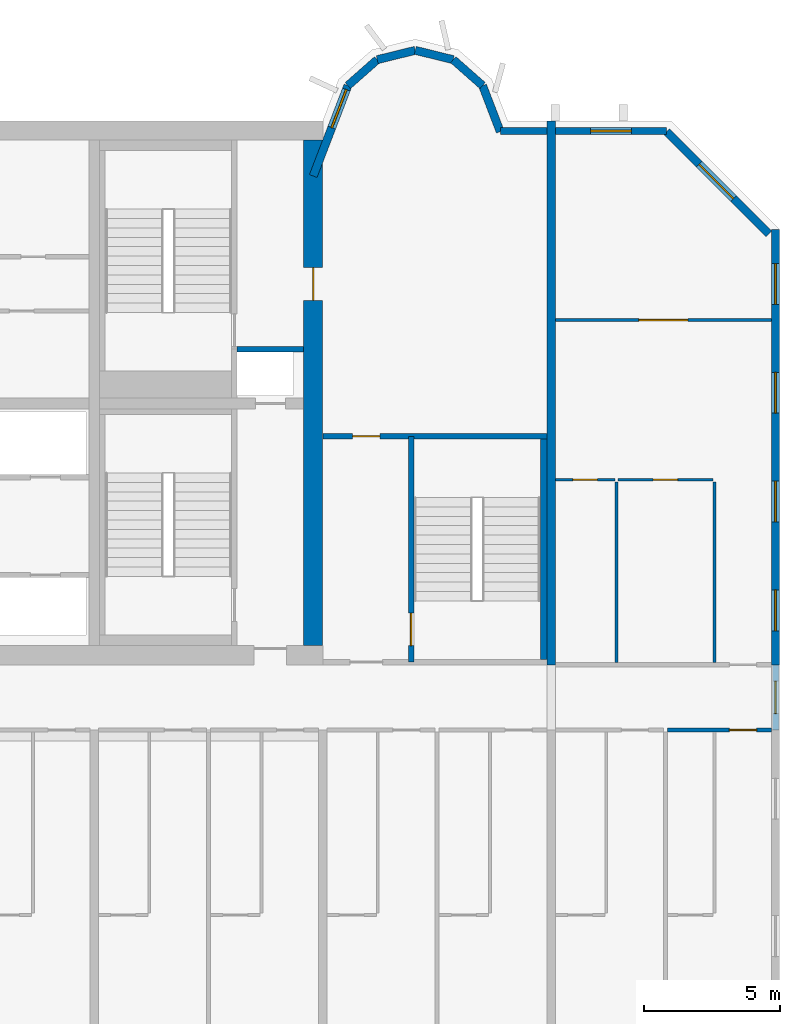
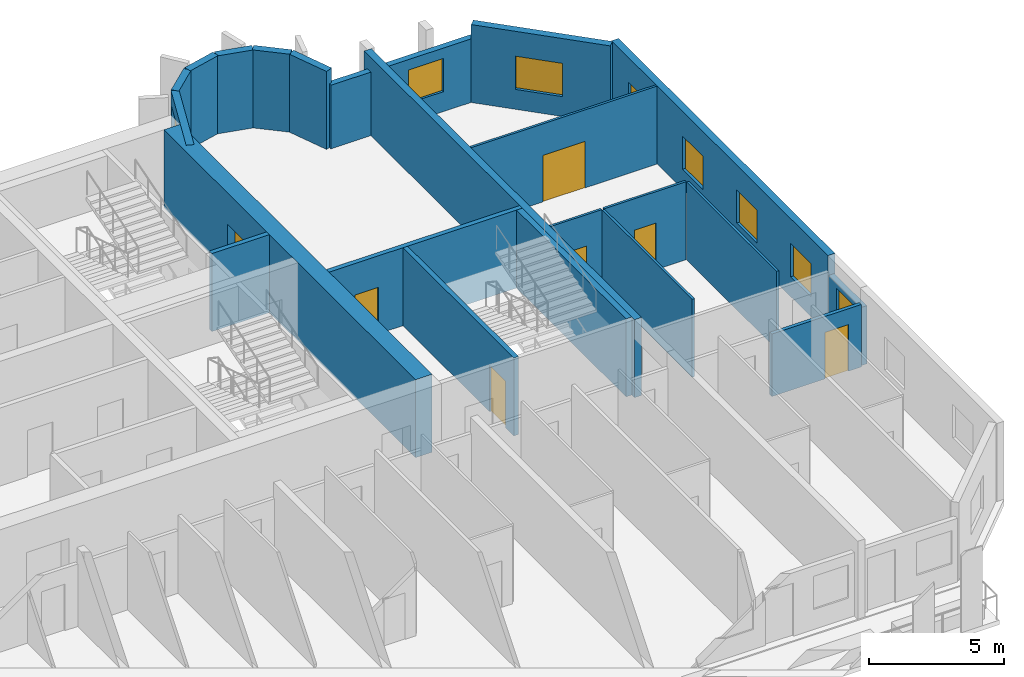
# One storey, part 9 of 13: 23 walls, 8 windows, 7 doors, 15 openings.
"""IFC4 building model written with IfcOpenShell, lengths in metres."""

from ifc_helpers import new_model, si_unit, direction, frame, frame_2d, origin, place, context, subcontext, project, spatial, rectangle, extrude, source, transform, mapped, material, layer, layer_set, type_object, element, fill, save


model = new_model("IFC4")

# Units and contexts
model_context = context("Model", 3, precision=1e-05, world=origin(), true_north=direction((0.0, 1.0)))
body_context = subcontext(model_context, "Body", "Model", "MODEL_VIEW")
ifc_project = project(units=[si_unit("LENGTHUNIT", "METRE"), si_unit("AREAUNIT", "SQUARE_METRE"), si_unit("VOLUMEUNIT", "CUBIC_METRE"), si_unit("PLANEANGLEUNIT", "RADIAN"), si_unit("MASSUNIT", "GRAM", prefix="KILO")], contexts=[model_context])

# Site, building, storey
site_placement = place(None, origin())
site = spatial("IfcSite", under=ifc_project, at=site_placement, CompositionType="ELEMENT")
building_placement = place(site_placement, origin())
building = spatial("IfcBuilding", under=site, at=building_placement, Name="Vanashikhar Sky Hotel", CompositionType="ELEMENT")
storey_placement = place(building_placement, frame((0.0, 0.0, 193.39990234375)))
storey = spatial("IfcBuildingStorey", under=building, at=storey_placement, Name="L47", CompositionType="ELEMENT", Elevation=193.39990234375)

# Wall, opening, door
ifc_material_1 = material(Name="Concrete M60", Category="concrete")
ifc_layer_1 = layer(ifc_material_1, 0.699951171875)
ifc_layer_set_1 = layer_set([ifc_layer_1], Name="RC core shell wall 700 Concrete M60")
wall_type_1 = type_object("IfcWallType", Name="RC core shell wall 700 Concrete M60", PredefinedType="SHEAR", material=ifc_layer_set_1)
shared_shape_1 = source(origin(), body_context, "Body", "SweptSolid", [
    extrude(rectangle(XDim=18.60009765625, YDim=0.699951171875, at=frame_2d((9.300048828125, 0.0))), origin(), (0.0, 0.0, 1.0), 3.52001953125),
])
wall_1_placement = place(storey_placement, frame((75.25, 22.699951171875, 0.0), z_axis=(0.0, 0.0, 1.0), x_axis=(0.0, 1.0, 0.0)))
wall_1 = element("IfcWall", 1, at=wall_1_placement, inside=storey, type_object=wall_type_1, Name="KW-L47-KE", PredefinedType="SHEAR", context=body_context, shape_type="MappedRepresentation", body=[
    mapped(shared_shape_1, transform((0.0, 0.0, 0.0), scale=1.0)),
])
shared_shape_2 = source(origin(), body_context, "Body", "SweptSolid", [
    extrude(rectangle(XDim=1.199951171875, YDim=2.10009765625, at=frame_2d((0.60009765625, 1.050048828125))), frame((0.0, 0.35986328125, 0.0), z_axis=(0.0, -1.0, 0.0), x_axis=(1.0, 0.0, 0.0)), (0.0, 0.0, 1.0), 0.719970703125),
])
opening_1_placement = place(wall_1_placement, frame((12.699951171875, 0.0, 0.0)))
opening_1 = element("IfcOpeningElement", 2, at=opening_1_placement, cuts=wall_1, Name="Opening DC-4-D", PredefinedType="OPENING", context=body_context, shape_type="MappedRepresentation", body=[
    mapped(shared_shape_2, transform((0.0, 0.0, 0.0), scale=1.0)),
])
ifc_material_2 = material(Name="Steel", Category="steel")
door_type_1 = type_object("IfcDoorType", Name="Service door 1200 FD120", OperationType="NOTDEFINED", PredefinedType="DOOR", material=ifc_material_2)
shared_shape_3 = source(origin(), body_context, "Body", "SweptSolid", [
    extrude(rectangle(XDim=1.199951171875, YDim=2.10009765625, at=frame_2d((0.60009765625, 1.050048828125))), frame((0.0, 0.02490234375, 0.0), z_axis=(0.0, -1.0, 0.0), x_axis=(1.0, 0.0, 0.0)), (0.0, 0.0, 1.0), 0.050048828125),
])
door_1_placement = place(opening_1_placement, origin())
door_1 = element("IfcDoor", 3, at=door_1_placement, inside=storey, type_object=door_type_1, Name="Service door 1200 FD120", OperationType="SINGLE_SWING_RIGHT", OverallHeight=2.10009765625, OverallWidth=1.199951171875, PredefinedType="DOOR", context=body_context, shape_type="MappedRepresentation", body=[
    mapped(shared_shape_3, transform((0.0, 0.0, 0.0), scale=1.0)),
])
fill(opening_1, door_1)

# Wall, openings, windows
ifc_layer_2 = layer(ifc_material_1, 0.300048828125)
ifc_layer_set_2 = layer_set([ifc_layer_2], Name="RC shear wall 300 Concrete M60")
wall_type_2 = type_object("IfcWallType", Name="RC shear wall 300 Concrete M60", PredefinedType="SHEAR", material=ifc_layer_set_2)
shared_shape_4 = source(origin(), body_context, "Body", "SweptSolid", [
    extrude(rectangle(XDim=16.0, YDim=0.300048828125, at=frame_2d((8.0, 0.0))), origin(), (0.0, 0.0, 1.0), 3.52001953125),
])
wall_2_placement = place(storey_placement, frame((92.25, 22.0, 0.0), z_axis=(0.0, 0.0, 1.0), x_axis=(0.0, 1.0, 0.0)))
wall_2 = element("IfcWall", 4, at=wall_2_placement, inside=storey, type_object=wall_type_2, Name="CW-L47-XW12-2", PredefinedType="SHEAR", context=body_context, shape_type="MappedRepresentation", body=[
    mapped(shared_shape_4, transform((0.0, 0.0, 0.0), scale=1.0)),
])
shared_shape_5 = source(origin(), body_context, "Body", "SweptSolid", [
    extrude(rectangle(XDim=1.5, YDim=1.5, at=frame_2d((0.75, 0.75))), frame((0.0, 0.16015625, 0.0), z_axis=(0.0, -1.0, 0.0), x_axis=(1.0, 0.0, 0.0)), (0.0, 0.0, 1.0), 0.320068359375),
])
opening_2_placement = place(wall_2_placement, frame((1.25, 0.0, 0.89990234375)))
opening_2 = element("IfcOpeningElement", 5, at=opening_2_placement, cuts=wall_2, Name="Opening WN-1", PredefinedType="OPENING", context=body_context, shape_type="MappedRepresentation", body=[
    mapped(shared_shape_5, transform((0.0, 0.0, 0.0), scale=1.0)),
])
opening_3_placement = place(wall_2_placement, frame((5.25, 0.0, 0.89990234375)))
opening_3 = element("IfcOpeningElement", 6, at=opening_3_placement, cuts=wall_2, Name="Opening WN-1", PredefinedType="OPENING", context=body_context, shape_type="MappedRepresentation", body=[
    mapped(shared_shape_5, transform((0.0, 0.0, 0.0), scale=1.0)),
])
opening_4_placement = place(wall_2_placement, frame((9.25, 0.0, 0.89990234375)))
opening_4 = element("IfcOpeningElement", 7, at=opening_4_placement, cuts=wall_2, Name="Opening WN-1", PredefinedType="OPENING", context=body_context, shape_type="MappedRepresentation", body=[
    mapped(shared_shape_5, transform((0.0, 0.0, 0.0), scale=1.0)),
])
opening_5_placement = place(wall_2_placement, frame((13.25, 0.0, 0.89990234375)))
opening_5 = element("IfcOpeningElement", 8, at=opening_5_placement, cuts=wall_2, Name="Opening WN-1", PredefinedType="OPENING", context=body_context, shape_type="MappedRepresentation", body=[
    mapped(shared_shape_5, transform((0.0, 0.0, 0.0), scale=1.0)),
])
ifc_material_3 = material(Name="Glass", Category="glass")
window_type_1 = type_object("IfcWindowType", Name="Window 1500 x 1500", PartitioningType="SINGLE_PANEL", PredefinedType="WINDOW", material=ifc_material_3)
shared_shape_6 = source(origin(), body_context, "Body", "SweptSolid", [
    extrude(rectangle(XDim=1.5, YDim=1.5, at=frame_2d((0.75, 0.75))), frame((0.0, 0.030029296875, 0.0), z_axis=(0.0, -1.0, 0.0), x_axis=(1.0, 0.0, 0.0)), (0.0, 0.0, 1.0), 0.06005859375),
])
window_1_placement = place(opening_2_placement, origin())
window_1 = element("IfcWindow", 9, at=window_1_placement, inside=storey, type_object=window_type_1, Name="Window WN-1", OverallHeight=1.5, OverallWidth=1.5, PartitioningType="SINGLE_PANEL", PredefinedType="WINDOW", context=body_context, shape_type="MappedRepresentation", body=[
    mapped(shared_shape_6, transform((0.0, 0.0, 0.0), scale=1.0)),
])
fill(opening_2, window_1)
window_2_placement = place(opening_3_placement, origin())
window_2 = element("IfcWindow", 10, at=window_2_placement, inside=storey, type_object=window_type_1, Name="Window WN-1", OverallHeight=1.5, OverallWidth=1.5, PartitioningType="SINGLE_PANEL", PredefinedType="WINDOW", context=body_context, shape_type="MappedRepresentation", body=[
    mapped(shared_shape_6, transform((0.0, 0.0, 0.0), scale=1.0)),
])
fill(opening_3, window_2)
window_3_placement = place(opening_4_placement, origin())
window_3 = element("IfcWindow", 11, at=window_3_placement, inside=storey, type_object=window_type_1, Name="Window WN-1", OverallHeight=1.5, OverallWidth=1.5, PartitioningType="SINGLE_PANEL", PredefinedType="WINDOW", context=body_context, shape_type="MappedRepresentation", body=[
    mapped(shared_shape_6, transform((0.0, 0.0, 0.0), scale=1.0)),
])
fill(opening_4, window_3)
window_4_placement = place(opening_5_placement, origin())
window_4 = element("IfcWindow", 12, at=window_4_placement, inside=storey, type_object=window_type_1, Name="Window WN-1", OverallHeight=1.5, OverallWidth=1.5, PartitioningType="SINGLE_PANEL", PredefinedType="WINDOW", context=body_context, shape_type="MappedRepresentation", body=[
    mapped(shared_shape_6, transform((0.0, 0.0, 0.0), scale=1.0)),
])
fill(opening_5, window_4)

# Wall
shared_shape_7 = source(origin(), body_context, "Body", "SweptSolid", [
    extrude(rectangle(XDim=20.0, YDim=0.300048828125, at=frame_2d((10.0, 0.0))), origin(), (0.0, 0.0, 1.0), 3.52001953125),
])
wall_3_placement = place(storey_placement, frame((84.0, 22.0, 0.0), z_axis=(0.0, 0.0, 1.0), x_axis=(0.0, 1.0, 0.0)))
element("IfcWall", 13, at=wall_3_placement, inside=storey, type_object=wall_type_2, Name="CW-L47-XW11-2", PredefinedType="SHEAR", context=body_context, shape_type="MappedRepresentation", body=[
    mapped(shared_shape_7, transform((0.0, 0.0, 0.0), scale=1.0)),
])

# Wall, opening, window
ifc_material_4 = material(Name="Concrete M50", Category="concrete")
ifc_layer_3 = layer(ifc_material_4, 0.300048828125)
ifc_layer_set_3 = layer_set([ifc_layer_3], Name="Lobe wall 300")
wall_type_3 = type_object("IfcWallType", Name="Lobe wall 300", PredefinedType="SOLIDWALL", material=ifc_layer_set_3)
shared_shape_8 = source(origin(), body_context, "Body", "SweptSolid", [
    extrude(rectangle(XDim=5.32568359375, YDim=0.300048828125, at=frame_2d((2.662841796875, 0.0))), origin(), (0.0, 0.0, 1.0), 3.52001953125),
])
wall_4_placement = place(storey_placement, frame((92.0, 37.834228515625, 0.0), z_axis=(0.0, 0.0, 1.0), x_axis=(-0.707083859269, 0.707129702361, 0.0)))
wall_4 = element("IfcWall", 14, at=wall_4_placement, inside=storey, type_object=wall_type_3, Name="Corner wall", PredefinedType="SOLIDWALL", context=body_context, shape_type="MappedRepresentation", body=[
    mapped(shared_shape_8, transform((0.0, 0.0, 0.0), scale=1.0)),
])
shared_shape_9 = source(origin(), body_context, "Body", "SweptSolid", [
    extrude(rectangle(XDim=1.800048828125, YDim=1.5, at=frame_2d((0.89990234375, 0.75))), frame((0.0, 0.16015625, 0.0), z_axis=(0.0, -1.0, 0.0), x_axis=(1.0, 0.0, 0.0)), (0.0, 0.0, 1.0), 0.320068359375),
])
opening_6_placement = place(wall_4_placement, frame((1.8359375, 0.0, 0.89990234375)))
opening_6 = element("IfcOpeningElement", 15, at=opening_6_placement, cuts=wall_4, Name="Opening WN-4", PredefinedType="OPENING", context=body_context, shape_type="MappedRepresentation", body=[
    mapped(shared_shape_9, transform((0.0, 0.0, 0.0), scale=1.0)),
])
window_type_2 = type_object("IfcWindowType", Name="Corner window 1800 x 1500", PartitioningType="SINGLE_PANEL", PredefinedType="WINDOW", material=ifc_material_3)
shared_shape_10 = source(origin(), body_context, "Body", "SweptSolid", [
    extrude(rectangle(XDim=1.800048828125, YDim=1.5, at=frame_2d((0.89990234375, 0.75))), frame((0.0, 0.030029296875, 0.0), z_axis=(0.0, -1.0, 0.0), x_axis=(1.0, 0.0, 0.0)), (0.0, 0.0, 1.0), 0.06005859375),
])
window_5_placement = place(opening_6_placement, origin())
window_5 = element("IfcWindow", 16, at=window_5_placement, inside=storey, type_object=window_type_2, Name="Window WN-4", OverallHeight=1.5, OverallWidth=1.800048828125, PartitioningType="SINGLE_PANEL", PredefinedType="WINDOW", context=body_context, shape_type="MappedRepresentation", body=[
    mapped(shared_shape_10, transform((0.0, 0.0, 0.0), scale=1.0)),
])
fill(opening_6, window_5)

shared_shape_11 = source(origin(), body_context, "Body", "SweptSolid", [
    extrude(rectangle(XDim=3.55908203125, YDim=0.300048828125, at=frame_2d((1.779541015625, 0.0))), origin(), (0.0, 0.0, 1.0), 3.52001953125),
])
wall_5_placement = place(storey_placement, frame((76.5234375, 43.2919921875, 0.0), z_axis=(0.0, 0.0, 1.0), x_axis=(-0.35779745313, -0.933799219604, 0.0)))
wall_5 = element("IfcWall", 17, at=wall_5_placement, inside=storey, type_object=wall_type_3, Name="Lobe wall", PredefinedType="SOLIDWALL", context=body_context, shape_type="MappedRepresentation", body=[
    mapped(shared_shape_11, transform((0.0, 0.0, 0.0), scale=1.0)),
])
shared_shape_12 = source(origin(), body_context, "Body", "SweptSolid", [
    extrude(rectangle(XDim=1.5, YDim=2.0, at=frame_2d((0.75, 1.0))), frame((0.0, 0.16015625, 0.0), z_axis=(0.0, -1.0, 0.0), x_axis=(1.0, 0.0, 0.0)), (0.0, 0.0, 1.0), 0.320068359375),
])
opening_7_placement = place(wall_5_placement, frame((0.156005859375, 0.0, 0.89990234375)))
opening_7 = element("IfcOpeningElement", 18, at=opening_7_placement, cuts=wall_5, Name="Opening WN-2", PredefinedType="OPENING", context=body_context, shape_type="MappedRepresentation", body=[
    mapped(shared_shape_12, transform((0.0, 0.0, 0.0), scale=1.0)),
])
window_type_3 = type_object("IfcWindowType", Name="Lobe window 1500 x 2000", PartitioningType="SINGLE_PANEL", PredefinedType="WINDOW", material=ifc_material_3)
shared_shape_13 = source(origin(), body_context, "Body", "SweptSolid", [
    extrude(rectangle(XDim=1.5, YDim=2.0, at=frame_2d((0.75, 1.0))), frame((0.0, 0.030029296875, 0.0), z_axis=(0.0, -1.0, 0.0), x_axis=(1.0, 0.0, 0.0)), (0.0, 0.0, 1.0), 0.06005859375),
])
window_6_placement = place(opening_7_placement, origin())
window_6 = element("IfcWindow", 19, at=window_6_placement, inside=storey, type_object=window_type_3, Name="Window WN-2", OverallHeight=2.0, OverallWidth=1.5, PartitioningType="SINGLE_PANEL", PredefinedType="WINDOW", context=body_context, shape_type="MappedRepresentation", body=[
    mapped(shared_shape_13, transform((0.0, 0.0, 0.0), scale=1.0)),
])
fill(opening_7, window_6)

# Walls
shared_shape_14 = source(origin(), body_context, "Body", "SweptSolid", [
    extrude(rectangle(XDim=1.438720703125, YDim=0.300048828125, at=frame_2d((0.71923828125, 0.0))), origin(), (0.0, 0.0, 1.0), 3.52001953125),
])
for number, where, z_axis, x_axis, name in (
    (20, (80.397216796875, 44.2451171875, 0.0), (0.0, 0.0, 1.0), (-0.971161932466, 0.238420848351, 0.0), "Lobe wall"),
    (21, (79.0, 44.588134765625, 0.0), (0.0, 0.0, 1.0), (-0.971161932466, -0.238420848351, 0.0), "Lobe wall"),
):
    element("IfcWall", number, at=place(storey_placement, frame(where, z_axis=z_axis, x_axis=x_axis)), inside=storey, type_object=wall_type_3, Name=name, PredefinedType="SOLIDWALL", context=body_context, shape_type="MappedRepresentation", body=[
        mapped(shared_shape_14, transform((0.0, 0.0, 0.0), scale=1.0)),
    ])
shared_shape_15 = source(origin(), body_context, "Body", "SweptSolid", [
    extrude(rectangle(XDim=1.43994140625, YDim=0.300048828125, at=frame_2d((0.719970703125, 0.0))), origin(), (0.0, 0.0, 1.0), 3.52001953125),
])
for number, where, z_axis, x_axis, name in (
    (22, (81.4765625, 43.2919921875, 0.0), (0.0, 0.0, 1.0), (-0.74957555648, 0.661918790432, 0.0), "Lobe wall"),
    (23, (77.602783203125, 44.2451171875, 0.0), (0.0, 0.0, 1.0), (-0.74957555648, -0.661918790432, 0.0), "Lobe wall"),
):
    element("IfcWall", number, at=place(storey_placement, frame(where, z_axis=z_axis, x_axis=x_axis)), inside=storey, type_object=wall_type_3, Name=name, PredefinedType="SOLIDWALL", context=body_context, shape_type="MappedRepresentation", body=[
        mapped(shared_shape_15, transform((0.0, 0.0, 0.0), scale=1.0)),
    ])
shared_shape_16 = source(origin(), body_context, "Body", "SweptSolid", [
    extrude(rectangle(XDim=1.81201171875, YDim=0.300048828125, at=frame_2d((0.906005859375, 0.0))), origin(), (0.0, 0.0, 1.0), 3.52001953125),
])
wall_6_placement = place(storey_placement, frame((82.125, 41.60009765625, 0.0), z_axis=(0.0, 0.0, 1.0), x_axis=(-0.357877270961, 0.93376863244, 0.0)))
element("IfcWall", 24, at=wall_6_placement, inside=storey, type_object=wall_type_3, Name="Lobe wall", PredefinedType="SOLIDWALL", context=body_context, shape_type="MappedRepresentation", body=[
    mapped(shared_shape_16, transform((0.0, 0.0, 0.0), scale=1.0)),
])

# Wall, opening, window
ifc_layer_4 = layer(ifc_material_4, 0.25)
ifc_layer_set_4 = layer_set([ifc_layer_4], Name="Rear and end board-marked wall 250")
wall_type_4 = type_object("IfcWallType", Name="Rear and end board-marked wall 250", PredefinedType="SOLIDWALL", material=ifc_layer_set_4)
shared_shape_17 = source(origin(), body_context, "Body", "SweptSolid", [
    extrude(rectangle(XDim=2.39990234375, YDim=0.25, at=frame_2d((1.199951171875, 0.0))), origin(), (0.0, 0.0, 1.0), 2.6201171875),
])
wall_7_placement = place(storey_placement, frame((92.25, 19.60009765625, 0.0), z_axis=(0.0, 0.0, 1.0), x_axis=(0.0, 1.0, 0.0)))
wall_7 = element("IfcWall", 25, at=wall_7_placement, inside=storey, type_object=wall_type_4, Name="End corridor infill wall", PredefinedType="SOLIDWALL", context=body_context, shape_type="MappedRepresentation", body=[
    mapped(shared_shape_17, transform((0.0, 0.0, 0.0), scale=1.0)),
])
shared_shape_18 = source(origin(), body_context, "Body", "SweptSolid", [
    extrude(rectangle(XDim=1.199951171875, YDim=1.5, at=frame_2d((0.60009765625, 0.75))), frame((0.0, 0.135009765625, 0.0), z_axis=(0.0, -1.0, 0.0), x_axis=(1.0, 0.0, 0.0)), (0.0, 0.0, 1.0), 0.27001953125),
])
opening_8_placement = place(wall_7_placement, frame((0.60009765625, 0.0, 0.89990234375)))
opening_8 = element("IfcOpeningElement", 26, at=opening_8_placement, cuts=wall_7, Name="Opening WN-3", PredefinedType="OPENING", context=body_context, shape_type="MappedRepresentation", body=[
    mapped(shared_shape_18, transform((0.0, 0.0, 0.0), scale=1.0)),
])
window_type_4 = type_object("IfcWindowType", Name="Corridor end window 1200 x 1500", PartitioningType="SINGLE_PANEL", PredefinedType="WINDOW", material=ifc_material_3)
shared_shape_19 = source(origin(), body_context, "Body", "SweptSolid", [
    extrude(rectangle(XDim=1.199951171875, YDim=1.5, at=frame_2d((0.60009765625, 0.75))), frame((0.0, 0.030029296875, 0.0), z_axis=(0.0, -1.0, 0.0), x_axis=(1.0, 0.0, 0.0)), (0.0, 0.0, 1.0), 0.06005859375),
])
window_7_placement = place(opening_8_placement, origin())
window_7 = element("IfcWindow", 27, at=window_7_placement, inside=storey, type_object=window_type_4, Name="Window WN-3", OverallHeight=1.5, OverallWidth=1.199951171875, PartitioningType="SINGLE_PANEL", PredefinedType="WINDOW", context=body_context, shape_type="MappedRepresentation", body=[
    mapped(shared_shape_19, transform((0.0, 0.0, 0.0), scale=1.0)),
])
fill(opening_8, window_7)

# Wall
shared_shape_20 = source(origin(), body_context, "Body", "SweptSolid", [
    extrude(rectangle(XDim=1.7080078125, YDim=0.25, at=frame_2d((0.85400390625, 0.0))), origin(), (0.0, 0.0, 1.0), 2.8701171875),
])
wall_8_placement = place(storey_placement, frame((83.85009765625, 41.625, 0.0), z_axis=(0.0, 0.0, 1.0), x_axis=(-1.0, 0.0, 0.0)))
element("IfcWall", 28, at=wall_8_placement, inside=storey, type_object=wall_type_4, Name="Rear board-marked wall", PredefinedType="SOLIDWALL", context=body_context, shape_type="MappedRepresentation", body=[
    mapped(shared_shape_20, transform((0.0, 0.0, 0.0), scale=1.0)),
])

# Wall, opening, window
shared_shape_21 = source(origin(), body_context, "Body", "SweptSolid", [
    extrude(rectangle(XDim=4.0947265625, YDim=0.25, at=frame_2d((2.04736328125, 0.0))), origin(), (0.0, 0.0, 1.0), 2.8701171875),
])
wall_9_placement = place(storey_placement, frame((88.24462890625, 41.625, 0.0), z_axis=(0.0, 0.0, 1.0), x_axis=(-1.0, 0.0, 0.0)))
wall_9 = element("IfcWall", 29, at=wall_9_placement, inside=storey, type_object=wall_type_4, Name="Rear board-marked wall", PredefinedType="SOLIDWALL", context=body_context, shape_type="MappedRepresentation", body=[
    mapped(shared_shape_21, transform((0.0, 0.0, 0.0), scale=1.0)),
])
shared_shape_22 = source(origin(), body_context, "Body", "SweptSolid", [
    extrude(rectangle(XDim=1.5, YDim=1.5, at=frame_2d((0.75, 0.75))), frame((0.0, 0.135009765625, 0.0), z_axis=(0.0, -1.0, 0.0), x_axis=(1.0, 0.0, 0.0)), (0.0, 0.0, 1.0), 0.27001953125),
])
opening_9_placement = place(wall_9_placement, frame((1.29736328125, 0.0, 0.89990234375)))
opening_9 = element("IfcOpeningElement", 30, at=opening_9_placement, cuts=wall_9, Name="Opening WN-1", PredefinedType="OPENING", context=body_context, shape_type="MappedRepresentation", body=[
    mapped(shared_shape_22, transform((0.0, 0.0, 0.0), scale=1.0)),
])
window_8_placement = place(opening_9_placement, origin())
window_8 = element("IfcWindow", 31, at=window_8_placement, inside=storey, type_object=window_type_1, Name="Window WN-1", OverallHeight=1.5, OverallWidth=1.5, PartitioningType="SINGLE_PANEL", PredefinedType="WINDOW", context=body_context, shape_type="MappedRepresentation", body=[
    mapped(shared_shape_6, transform((0.0, 0.0, 0.0), scale=1.0)),
])
fill(opening_9, window_8)

# Wall, opening, door
ifc_layer_5 = layer(ifc_material_4, 0.199951171875)
ifc_layer_set_5 = layer_set([ifc_layer_5], Name="Stair wall 200")
wall_type_5 = type_object("IfcWallType", Name="Stair wall 200", PredefinedType="SOLIDWALL", material=ifc_layer_set_5)
shared_shape_23 = source(origin(), body_context, "Body", "SweptSolid", [
    extrude(rectangle(XDim=8.2998046875, YDim=0.199951171875, at=frame_2d((4.14990234375, 0.0))), origin(), (0.0, 0.0, 1.0), 3.52001953125),
])
wall_10_placement = place(storey_placement, frame((78.85009765625, 22.10009765625, 0.0), z_axis=(0.0, 0.0, 1.0), x_axis=(0.0, 1.0, 0.0)))
wall_10 = element("IfcWall", 32, at=wall_10_placement, inside=storey, type_object=wall_type_5, Name="Stair wall 200", PredefinedType="SOLIDWALL", context=body_context, shape_type="MappedRepresentation", body=[
    mapped(shared_shape_23, transform((0.0, 0.0, 0.0), scale=1.0)),
])
shared_shape_24 = source(origin(), body_context, "Body", "SweptSolid", [
    extrude(rectangle(XDim=1.199951171875, YDim=2.10009765625, at=frame_2d((0.60009765625, 1.050048828125))), frame((0.0, 0.10986328125, 0.0), z_axis=(0.0, -1.0, 0.0), x_axis=(1.0, 0.0, 0.0)), (0.0, 0.0, 1.0), 0.219970703125),
])
opening_10_placement = place(wall_10_placement, frame((0.60009765625, 0.0, 0.0)))
opening_10 = element("IfcOpeningElement", 33, at=opening_10_placement, cuts=wall_10, Name="Opening DC-1", PredefinedType="OPENING", context=body_context, shape_type="MappedRepresentation", body=[
    mapped(shared_shape_24, transform((0.0, 0.0, 0.0), scale=1.0)),
])
door_type_2 = type_object("IfcDoorType", Name="Stair door 1200 FD120", OperationType="NOTDEFINED", PredefinedType="DOOR", material=ifc_material_2)
door_2_placement = place(opening_10_placement, origin())
door_2 = element("IfcDoor", 34, at=door_2_placement, inside=storey, type_object=door_type_2, Name="Stair door 1200 FD120", OperationType="SINGLE_SWING_LEFT", OverallHeight=2.10009765625, OverallWidth=1.199951171875, PredefinedType="DOOR", context=body_context, shape_type="MappedRepresentation", body=[
    mapped(shared_shape_3, transform((0.0, 0.0, 0.0), scale=1.0)),
])
fill(opening_10, door_2)

# Wall
ifc_material_5 = material(Name="Concrete M40", Category="concrete")
ifc_layer_6 = layer(ifc_material_5, 0.199951171875)
ifc_layer_set_6 = layer_set([ifc_layer_6], Name="Shaft wall 200")
wall_type_6 = type_object("IfcWallType", Name="Shaft wall 200", PredefinedType="SOLIDWALL", material=ifc_layer_set_6)
shared_shape_25 = source(origin(), body_context, "Body", "SweptSolid", [
    extrude(rectangle(XDim=2.449951171875, YDim=0.199951171875, at=frame_2d((1.22509765625, 0.0))), origin(), (0.0, 0.0, 1.0), 3.52001953125),
])
wall_11_placement = place(storey_placement, frame((72.449951171875, 33.60009765625, 0.0), z_axis=(0.0, 0.0, 1.0), x_axis=(1.0, 0.0, 0.0)))
element("IfcWall", 35, at=wall_11_placement, inside=storey, type_object=wall_type_6, Name="Shaft wall 200", PredefinedType="SOLIDWALL", context=body_context, shape_type="MappedRepresentation", body=[
    mapped(shared_shape_25, transform((0.0, 0.0, 0.0), scale=1.0)),
])

# Wall, opening, door
shared_shape_26 = source(origin(), body_context, "Body", "SweptSolid", [
    extrude(rectangle(XDim=8.25, YDim=0.199951171875, at=frame_2d((4.125, 0.0))), origin(), (0.0, 0.0, 1.0), 3.52001953125),
])
wall_12_placement = place(storey_placement, frame((83.85009765625, 30.39990234375, 0.0), z_axis=(0.0, 0.0, 1.0), x_axis=(-1.0, 0.0, 0.0)))
wall_12 = element("IfcWall", 36, at=wall_12_placement, inside=storey, type_object=wall_type_5, Name="Stair wall 200", PredefinedType="SOLIDWALL", context=body_context, shape_type="MappedRepresentation", body=[
    mapped(shared_shape_26, transform((0.0, 0.0, 0.0), scale=1.0)),
])
shared_shape_27 = source(origin(), body_context, "Body", "SweptSolid", [
    extrude(rectangle(XDim=1.0, YDim=2.10009765625, at=frame_2d((0.5, 1.050048828125))), frame((0.0, 0.10986328125, 0.0), z_axis=(0.0, -1.0, 0.0), x_axis=(1.0, 0.0, 0.0)), (0.0, 0.0, 1.0), 0.219970703125),
])
opening_11_placement = place(wall_12_placement, frame((6.14990234375, 0.0, 0.0)))
opening_11 = element("IfcOpeningElement", 37, at=opening_11_placement, cuts=wall_12, Name="Opening DC-6", PredefinedType="OPENING", context=body_context, shape_type="MappedRepresentation", body=[
    mapped(shared_shape_27, transform((0.0, 0.0, 0.0), scale=1.0)),
])
door_type_3 = type_object("IfcDoorType", Name="Pocket door 1000 FD60", OperationType="NOTDEFINED", PredefinedType="DOOR", material=ifc_material_2)
shared_shape_28 = source(origin(), body_context, "Body", "SweptSolid", [
    extrude(rectangle(XDim=1.0, YDim=2.10009765625, at=frame_2d((0.5, 1.050048828125))), frame((0.0, 0.02490234375, 0.0), z_axis=(0.0, -1.0, 0.0), x_axis=(1.0, 0.0, 0.0)), (0.0, 0.0, 1.0), 0.050048828125),
])
door_3_placement = place(opening_11_placement, origin())
door_3 = element("IfcDoor", 38, at=door_3_placement, inside=storey, type_object=door_type_3, Name="Pocket door 1000 FD60", OperationType="SINGLE_SWING_RIGHT", OverallHeight=2.10009765625, OverallWidth=1.0, PredefinedType="DOOR", context=body_context, shape_type="MappedRepresentation", body=[
    mapped(shared_shape_28, transform((0.0, 0.0, 0.0), scale=1.0)),
])
fill(opening_11, door_3)

# Wall
ifc_layer_7 = layer(ifc_material_4, 0.25)
ifc_layer_set_7 = layer_set([ifc_layer_7], Name="Stair infill wall 250")
wall_type_7 = type_object("IfcWallType", Name="Stair infill wall 250", PredefinedType="SOLIDWALL", material=ifc_layer_set_7)
shared_shape_29 = source(origin(), body_context, "Body", "SweptSolid", [
    extrude(rectangle(XDim=8.10009765625, YDim=0.25, at=frame_2d((4.050048828125, 0.0))), origin(), (0.0, 0.0, 1.0), 3.52001953125),
])
wall_13_placement = place(storey_placement, frame((83.72509765625, 22.199951171875, 0.0), z_axis=(0.0, 0.0, 1.0), x_axis=(0.0, 1.0, 0.0)))
element("IfcWall", 39, at=wall_13_placement, inside=storey, type_object=wall_type_7, Name="Stair infill wall 250", PredefinedType="SOLIDWALL", context=body_context, shape_type="MappedRepresentation", body=[
    mapped(shared_shape_29, transform((0.0, 0.0, 0.0), scale=1.0)),
])

# Wall, opening, door
ifc_material_6 = material(Name="Gypsum plasterboard partition")
ifc_layer_8 = layer(ifc_material_6, 0.10009765625)
ifc_layer_set_8 = layer_set([ifc_layer_8], Name="Wet room partition 100")
wall_type_8 = type_object("IfcWallType", Name="Wet room partition 100", PredefinedType="PARTITIONING", material=ifc_layer_set_8)
shared_shape_30 = source(origin(), body_context, "Body", "SweptSolid", [
    extrude(rectangle(XDim=3.5, YDim=0.10009765625, at=frame_2d((1.75, 0.0))), origin(), (0.0, 0.0, 1.0), 3.52001953125),
])
wall_14_placement = place(storey_placement, frame((86.449951171875, 28.800048828125, 0.0), z_axis=(0.0, 0.0, 1.0), x_axis=(1.0, 0.0, 0.0)))
wall_14 = element("IfcWall", 40, at=wall_14_placement, inside=storey, type_object=wall_type_8, Name="W-L47-PW060", PredefinedType="PARTITIONING", context=body_context, shape_type="MappedRepresentation", body=[
    mapped(shared_shape_30, transform((0.0, 0.0, 0.0), scale=1.0)),
])
shared_shape_31 = source(origin(), body_context, "Body", "SweptSolid", [
    extrude(rectangle(XDim=0.89990234375, YDim=2.10009765625, at=frame_2d((0.449951171875, 1.050048828125))), frame((0.0, 0.06005859375, 0.0), z_axis=(0.0, -1.0, 0.0), x_axis=(1.0, 0.0, 0.0)), (0.0, 0.0, 1.0), 0.1201171875),
])
opening_12_placement = place(wall_14_placement, frame((1.300048828125, 0.0, 0.0)))
opening_12 = element("IfcOpeningElement", 41, at=opening_12_placement, cuts=wall_14, Name="Opening D-02", PredefinedType="OPENING", context=body_context, shape_type="MappedRepresentation", body=[
    mapped(shared_shape_31, transform((0.0, 0.0, 0.0), scale=1.0)),
])
ifc_material_7 = material(Name="Timber door", Category="wood")
door_type_4 = type_object("IfcDoorType", Name="Internal door 900", OperationType="NOTDEFINED", PredefinedType="DOOR", material=ifc_material_7)
shared_shape_32 = source(origin(), body_context, "Body", "SweptSolid", [
    extrude(rectangle(XDim=0.89990234375, YDim=2.10009765625, at=frame_2d((0.449951171875, 1.050048828125))), frame((0.0, 0.02490234375, 0.0), z_axis=(0.0, -1.0, 0.0), x_axis=(1.0, 0.0, 0.0)), (0.0, 0.0, 1.0), 0.050048828125),
])
door_4_placement = place(opening_12_placement, origin())
door_4 = element("IfcDoor", 42, at=door_4_placement, inside=storey, type_object=door_type_4, Name="D-L47-034", OperationType="SINGLE_SWING_RIGHT", OverallHeight=2.10009765625, OverallWidth=0.89990234375, PredefinedType="DOOR", context=body_context, shape_type="MappedRepresentation", body=[
    mapped(shared_shape_32, transform((0.0, 0.0, 0.0), scale=1.0)),
])
fill(opening_12, door_4)

# Walls
shared_shape_33 = source(origin(), body_context, "Body", "SweptSolid", [
    extrude(rectangle(XDim=6.650146484375, YDim=0.10009765625, at=frame_2d((3.3251953125, 0.0))), origin(), (0.0, 0.0, 1.0), 3.52001953125),
])
for number, where, z_axis, x_axis, name in (
    (43, (90.0, 22.074951171875, 0.0), (0.0, 0.0, 1.0), (0.0, 1.0, 0.0), "W-L47-PW058"),
    (44, (86.39990234375, 22.074951171875, 0.0), (0.0, 0.0, 1.0), (0.0, 1.0, 0.0), "W-L47-PW059"),
):
    element("IfcWall", number, at=place(storey_placement, frame(where, z_axis=z_axis, x_axis=x_axis)), inside=storey, type_object=wall_type_8, Name=name, PredefinedType="PARTITIONING", context=body_context, shape_type="MappedRepresentation", body=[
        mapped(shared_shape_33, transform((0.0, 0.0, 0.0), scale=1.0)),
    ])

# Wall, opening, door
ifc_layer_9 = layer(ifc_material_6, 0.14990234375)
ifc_layer_set_9 = layer_set([ifc_layer_9], Name="Corridor and demising partition 150")
wall_type_9 = type_object("IfcWallType", Name="Corridor and demising partition 150", PredefinedType="PARTITIONING", material=ifc_layer_set_9)
shared_shape_34 = source(origin(), body_context, "Body", "SweptSolid", [
    extrude(rectangle(XDim=3.8251953125, YDim=0.14990234375, at=frame_2d((1.91259765625, 0.0))), origin(), (0.0, 0.0, 1.0), 2.820068359375),
])
wall_15_placement = place(storey_placement, frame((88.27490234375, 19.60009765625, 0.0), z_axis=(0.0, 0.0, 1.0), x_axis=(1.0, 0.0, 0.0)))
wall_15 = element("IfcWall", 45, at=wall_15_placement, inside=storey, type_object=wall_type_9, Name="W-L47-PW049", PredefinedType="PARTITIONING", context=body_context, shape_type="MappedRepresentation", body=[
    mapped(shared_shape_34, transform((0.0, 0.0, 0.0), scale=1.0)),
])
shared_shape_35 = source(origin(), body_context, "Body", "SweptSolid", [
    extrude(rectangle(XDim=1.0, YDim=2.10009765625, at=frame_2d((0.5, 1.050048828125))), frame((0.0, 0.0849609375, 0.0), z_axis=(0.0, -1.0, 0.0), x_axis=(1.0, 0.0, 0.0)), (0.0, 0.0, 1.0), 0.169921875),
])
opening_13_placement = place(wall_15_placement, frame((2.27490234375, 0.0, 0.0)))
opening_13 = element("IfcOpeningElement", 46, at=opening_13_placement, cuts=wall_15, Name="Opening D-01", PredefinedType="OPENING", context=body_context, shape_type="MappedRepresentation", body=[
    mapped(shared_shape_35, transform((0.0, 0.0, 0.0), scale=1.0)),
])
ifc_material_8 = material(Name="Timber fire door", Category="wood")
door_type_5 = type_object("IfcDoorType", Name="Guest entry door 1000 FD30S", OperationType="NOTDEFINED", PredefinedType="DOOR", material=ifc_material_8)
door_5_placement = place(opening_13_placement, origin())
door_5 = element("IfcDoor", 47, at=door_5_placement, inside=storey, type_object=door_type_5, Name="D-L47-030", OperationType="SINGLE_SWING_RIGHT", OverallHeight=2.10009765625, OverallWidth=1.0, PredefinedType="DOOR", context=body_context, shape_type="MappedRepresentation", body=[
    mapped(shared_shape_28, transform((0.0, 0.0, 0.0), scale=1.0)),
])
fill(opening_13, door_5)

shared_shape_36 = source(origin(), body_context, "Body", "SweptSolid", [
    extrude(rectangle(XDim=7.9501953125, YDim=0.10009765625, at=frame_2d((3.97509765625, 0.0))), origin(), (0.0, 0.0, 1.0), 3.52001953125),
])
wall_16_placement = place(storey_placement, frame((84.14990234375, 34.672119140625, 0.0), z_axis=(0.0, 0.0, 1.0), x_axis=(1.0, 0.0, 0.0)))
wall_16 = element("IfcWall", 48, at=wall_16_placement, inside=storey, type_object=wall_type_8, Name="W-L47-PW062", PredefinedType="PARTITIONING", context=body_context, shape_type="MappedRepresentation", body=[
    mapped(shared_shape_36, transform((0.0, 0.0, 0.0), scale=1.0)),
])
shared_shape_37 = source(origin(), body_context, "Body", "SweptSolid", [
    extrude(rectangle(XDim=1.800048828125, YDim=2.10009765625, at=frame_2d((0.89990234375, 1.050048828125))), frame((0.0, 0.06005859375, 0.0), z_axis=(0.0, -1.0, 0.0), x_axis=(1.0, 0.0, 0.0)), (0.0, 0.0, 1.0), 0.1201171875),
])
opening_14_placement = place(wall_16_placement, frame((3.074951171875, 0.0, 0.0)))
opening_14 = element("IfcOpeningElement", 49, at=opening_14_placement, cuts=wall_16, Name="Opening D-08", PredefinedType="OPENING", context=body_context, shape_type="MappedRepresentation", body=[
    mapped(shared_shape_37, transform((0.0, 0.0, 0.0), scale=1.0)),
])
door_type_6 = type_object("IfcDoorType", Name="Double leaf door 1800", OperationType="NOTDEFINED", PredefinedType="DOOR", material=ifc_material_7)
shared_shape_38 = source(origin(), body_context, "Body", "SweptSolid", [
    extrude(rectangle(XDim=1.800048828125, YDim=2.10009765625, at=frame_2d((0.89990234375, 1.050048828125))), frame((0.0, 0.02490234375, 0.0), z_axis=(0.0, -1.0, 0.0), x_axis=(1.0, 0.0, 0.0)), (0.0, 0.0, 1.0), 0.050048828125),
])
door_6_placement = place(opening_14_placement, origin())
door_6 = element("IfcDoor", 50, at=door_6_placement, inside=storey, type_object=door_type_6, Name="D-L47-036", OperationType="DOUBLE_DOOR_SINGLE_SWING", OverallHeight=2.10009765625, OverallWidth=1.800048828125, PredefinedType="DOOR", context=body_context, shape_type="MappedRepresentation", body=[
    mapped(shared_shape_38, transform((0.0, 0.0, 0.0), scale=1.0)),
])
fill(opening_14, door_6)

shared_shape_39 = source(origin(), body_context, "Body", "SweptSolid", [
    extrude(rectangle(XDim=2.2001953125, YDim=0.10009765625, at=frame_2d((1.10009765625, 0.0))), origin(), (0.0, 0.0, 1.0), 3.52001953125),
])
wall_17_placement = place(storey_placement, frame((84.14990234375, 28.800048828125, 0.0), z_axis=(0.0, 0.0, 1.0), x_axis=(1.0, 0.0, 0.0)))
wall_17 = element("IfcWall", 51, at=wall_17_placement, inside=storey, type_object=wall_type_8, Name="W-L47-PW061", PredefinedType="PARTITIONING", context=body_context, shape_type="MappedRepresentation", body=[
    mapped(shared_shape_39, transform((0.0, 0.0, 0.0), scale=1.0)),
])
opening_15_placement = place(wall_17_placement, frame((0.64990234375, 0.0, 0.0)))
opening_15 = element("IfcOpeningElement", 52, at=opening_15_placement, cuts=wall_17, Name="Opening D-02", PredefinedType="OPENING", context=body_context, shape_type="MappedRepresentation", body=[
    mapped(shared_shape_31, transform((0.0, 0.0, 0.0), scale=1.0)),
])
door_7_placement = place(opening_15_placement, origin())
door_7 = element("IfcDoor", 53, at=door_7_placement, inside=storey, type_object=door_type_4, Name="D-L47-035", OperationType="SINGLE_SWING_RIGHT", OverallHeight=2.10009765625, OverallWidth=0.89990234375, PredefinedType="DOOR", context=body_context, shape_type="MappedRepresentation", body=[
    mapped(shared_shape_32, transform((0.0, 0.0, 0.0), scale=1.0)),
])
fill(opening_15, door_7)

save(model, "model.ifc")
